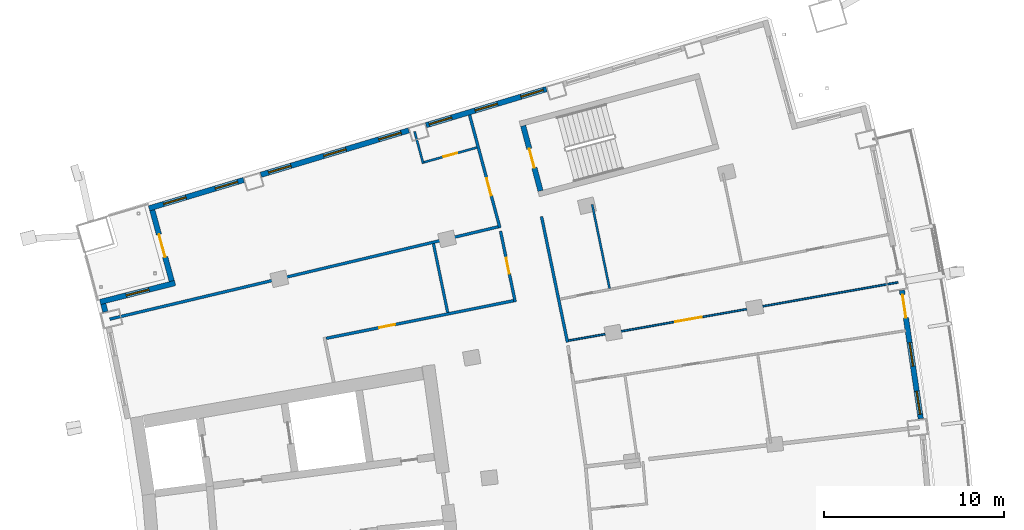
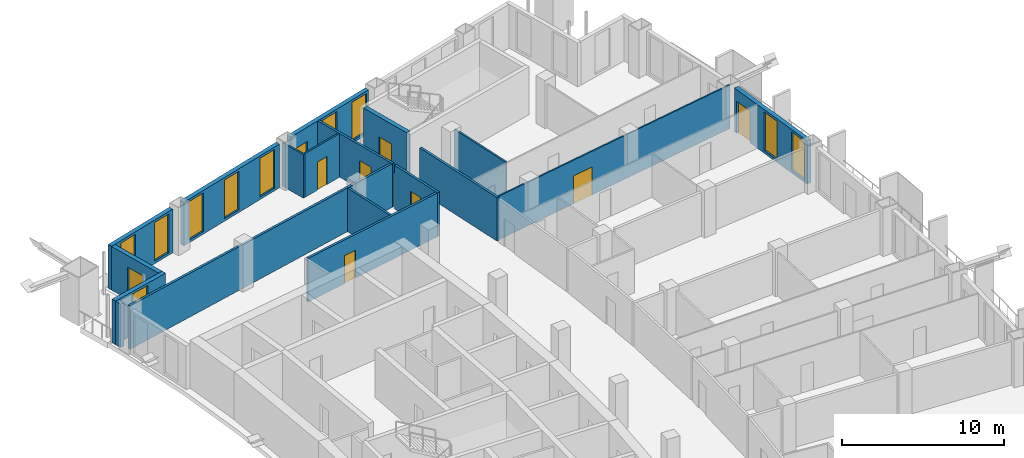
# One storey, part 16 of 22: 18 walls, 11 windows, 8 doors, 19 openings.
"""IFC4 building model written with IfcOpenShell, lengths in metres."""

import ifcopenshell
import ifcopenshell.guid

model = None  # the IFC model being written
_history = None  # IfcOwnerHistory: only IFC2X3 demands one
_inside = {}  # id of a spatial element -> (the spatial element, [elements in it])
_under = {}  # id of a project, library or spatial element -> (it, [spatial elements below it])
_declared = {}  # id of a project -> (the project, [libraries it declares])
_typed = {}  # id of a type object -> (the type object, [elements of that type])
_made_of = {}  # id of a material, layer set ... -> (it, [elements and type objects made of it])


def new_model(schema):
    """Start an empty IFC model of exactly this schema.

    Asked for "IFC4X3", IfcOpenShell would pick the latest addendum, in which some entities
    have other attributes; the version numbers below select the first issue.
    IFC2X3 requires an IfcOwnerHistory on every rooted entity: one is made here for all.
    """
    global model, _history
    if schema == "IFC4X3":
        model = ifcopenshell.file(schema_version=(4, 3, 0, 0))
    else:
        model = ifcopenshell.file(schema=schema)
    _inside.clear()
    _under.clear()
    _declared.clear()
    _typed.clear()
    _made_of.clear()
    _history = None
    if model.schema == "IFC2X3":
        org = make("IfcOrganization", Name="unknown")
        user = make(
            "IfcPersonAndOrganization",
            ThePerson=make("IfcPerson", FamilyName="unknown"),
            TheOrganization=org,
        )
        app = make(
            "IfcApplication",
            ApplicationDeveloper=org,
            Version="unknown",
            ApplicationFullName="unknown",
            ApplicationIdentifier="unknown",
        )
        _history = make(
            "IfcOwnerHistory",
            OwningUser=user,
            OwningApplication=app,
            ChangeAction="ADDED",
            CreationDate=0,
        )
    return model


def make(cls, **values):
    """One entity of the class cls with the attributes given. An attribute that is None is left unset."""
    return model.create_entity(
        cls, **{name: value for name, value in values.items() if value is not None}
    )


def rooted(cls, **values):
    """An entity with a GlobalId (a new one), such as an element, a storey or a relation."""
    return make(cls, GlobalId=ifcopenshell.guid.new(), OwnerHistory=_history, **values)


def si_unit(unit_type, name, prefix=None):
    """IfcSIUnit, for example si_unit("LENGTHUNIT", "METRE", prefix="MILLI")."""
    return make("IfcSIUnit", UnitType=unit_type, Prefix=prefix, Name=name)


def assignment(units):
    """IfcUnitAssignment: the units of a project."""
    return None if units is None else make("IfcUnitAssignment", Units=units)


def point(xyz):
    """IfcCartesianPoint."""
    return None if xyz is None else make("IfcCartesianPoint", Coordinates=xyz)


def direction(xyz):
    """IfcDirection."""
    return None if xyz is None else make("IfcDirection", DirectionRatios=xyz)


def frame(location, z_axis=None, x_axis=None):
    """IfcAxis2Placement3D, a coordinate frame: its origin and axes. An axis left out is left unset."""
    return make(
        "IfcAxis2Placement3D",
        Location=point(location),
        Axis=direction(z_axis),
        RefDirection=direction(x_axis),
    )


def frame_2d(location, x_axis=None):
    """IfcAxis2Placement2D, a coordinate frame in the plane: its origin and x axis."""
    return make(
        "IfcAxis2Placement2D", Location=point(location), RefDirection=direction(x_axis)
    )


def origin():
    """The frame at (0, 0, 0) with its axes left unset."""
    return frame((0.0, 0.0, 0.0))


def place(relative_to, where):
    """IfcLocalPlacement: puts the frame where relative to a parent placement (None: the world)."""
    return make(
        "IfcLocalPlacement", PlacementRelTo=relative_to, RelativePlacement=where
    )


def context(
    kind, dimensions, precision=None, world=None, true_north=None, identifier=None
):
    """IfcGeometricRepresentationContext, for example the 3D "Model" context."""
    return make(
        "IfcGeometricRepresentationContext",
        ContextIdentifier=identifier,
        ContextType=kind,
        CoordinateSpaceDimension=dimensions,
        Precision=precision,
        WorldCoordinateSystem=world,
        TrueNorth=true_north,
    )


def subcontext(parent, identifier, kind, view, scale=None):
    """IfcGeometricRepresentationSubContext, for example "Body" below "Model"."""
    return make(
        "IfcGeometricRepresentationSubContext",
        ContextIdentifier=identifier,
        ContextType=kind,
        ParentContext=parent,
        TargetScale=scale,
        TargetView=view,
    )


def project(units=None, contexts=None):
    """IfcProject with its units and contexts."""
    return rooted(
        "IfcProject",
        Name="project",
        RepresentationContexts=contexts,
        UnitsInContext=assignment(units),
    )


def spatial(cls, under=None, at=None, **own):
    """A site, building, storey or space (cls), placed at a placement, below another one or the project."""
    s = rooted(cls, ObjectPlacement=at, **own)
    if under is not None:
        _under.setdefault(under.id(), (under, []))[1].append(s)
    return s


def profile(cls, at=None, kind="AREA", **sizes):
    """A parametric profile (cls). Its sizes go by their IFC names, for example OverallWidth=200.0."""
    return make(cls, ProfileType=kind, Position=at, **sizes)


def rectangle(**sizes):
    """IfcRectangleProfileDef."""
    return profile("IfcRectangleProfileDef", **sizes)


def extrude(swept, where, along, depth):
    """IfcExtrudedAreaSolid: the profile swept, set in the frame where, extruded along a direction by depth."""
    return make(
        "IfcExtrudedAreaSolid",
        SweptArea=swept,
        Position=where,
        ExtrudedDirection=direction(along),
        Depth=depth,
    )


def shape(context_of_items, identifier, shape_type, items):
    """IfcShapeRepresentation: the items that make up one representation, for example the "Body"."""
    return make(
        "IfcShapeRepresentation",
        ContextOfItems=context_of_items,
        RepresentationIdentifier=identifier,
        RepresentationType=shape_type,
        Items=items,
    )


def material(Name=None, Category=None):
    """IfcMaterial."""
    return make("IfcMaterial", Name=Name, Category=Category)


def layer(
    of_material, thickness, ventilated=None, Name=None, Category=None, Priority=None
):
    """IfcMaterialLayer: one layer of a wall or slab, of a material (None: an air gap)."""
    return make(
        "IfcMaterialLayer",
        Material=of_material,
        LayerThickness=thickness,
        IsVentilated=ventilated,
        Name=Name,
        Category=Category,
        Priority=Priority,
    )


def layer_set(layers, Name=None):
    """IfcMaterialLayerSet."""
    return make("IfcMaterialLayerSet", MaterialLayers=layers, LayerSetName=Name)


def made_of(thing, what):
    """Note that an element or type object is made of a material, layer set ...; save() writes the relation."""
    if what is not None:
        _made_of.setdefault(what.id(), (what, []))[1].append(thing)
    return thing


def type_object(cls, material=None, **own):
    """A type object (cls), such as IfcWallType, which elements share."""
    return made_of(rooted(cls, **own), material)


def element(
    cls,
    number,
    at=None,
    inside=None,
    cuts=None,
    type_object=None,
    material=None,
    context=None,
    identifier="Body",
    shape_type=None,
    held_by="IfcProductDefinitionShape",
    body=None,
    shapes=None,
    **own,
):
    """One element of the class cls, such as IfcWall. Its Tag is "e" and its number.

    at: its placement. inside: the storey or other place that contains it. cuts: it is an
    opening in that element (IfcRelVoidsElement). A single representation is given by context,
    identifier, shape_type and body (its items); several are given by shapes. held_by: the class
    of the entity that holds the representations. save() writes the other relations.
    """
    e = rooted(cls, Tag="e%d" % number, ObjectPlacement=at, **own)
    if body is not None:
        shapes = [shape(context, identifier, shape_type, body)]
    if shapes is not None:
        e.Representation = make(held_by, Representations=shapes)
    if inside is not None:
        _inside.setdefault(inside.id(), (inside, []))[1].append(e)
    if cuts is not None:
        rooted(
            "IfcRelVoidsElement", RelatingBuildingElement=cuts, RelatedOpeningElement=e
        )
    if type_object is not None:
        _typed.setdefault(type_object.id(), (type_object, []))[1].append(e)
    return made_of(e, material)


def fill(opening, filler):
    """IfcRelFillsElement: the door or window that sits in an opening."""
    return rooted(
        "IfcRelFillsElement",
        RelatingOpeningElement=opening,
        RelatedBuildingElement=filler,
    )


def aggregate(whole, parts):
    """IfcRelAggregates: a whole, such as a stair, and the parts it consists of."""
    return rooted("IfcRelAggregates", RelatingObject=whole, RelatedObjects=parts)


def save(model, path):
    """Write the relations noted so far, then the file.

    IfcRelAggregates (storeys below a building ...), IfcRelContainedInSpatialStructure (elements
    in a storey), IfcRelDefinesByType, IfcRelAssociatesMaterial and IfcRelDeclares: one each for
    every whole, place, type object, material and project.
    """
    for whole, parts in _under.values():
        aggregate(whole, parts)
    for where, things in _inside.values():
        rooted(
            "IfcRelContainedInSpatialStructure",
            RelatedElements=things,
            RelatingStructure=where,
        )
    for kind, things in _typed.values():
        rooted("IfcRelDefinesByType", RelatedObjects=things, RelatingType=kind)
    for what, things in _made_of.values():
        rooted("IfcRelAssociatesMaterial", RelatedObjects=things, RelatingMaterial=what)
    for by, libraries in _declared.values():
        rooted("IfcRelDeclares", RelatingContext=by, RelatedDefinitions=libraries)
    model.write(path)


model = new_model("IFC4")

# Units and contexts
model_context = context("Model", 3, precision=1e-05, world=origin(), true_north=direction((0.0, 1.0)))
body_context = subcontext(model_context, "Body", "Model", "MODEL_VIEW")
ifc_project = project(units=[si_unit("LENGTHUNIT", "METRE"), si_unit("AREAUNIT", "SQUARE_METRE"), si_unit("VOLUMEUNIT", "CUBIC_METRE"), si_unit("PLANEANGLEUNIT", "RADIAN"), si_unit("MASSUNIT", "GRAM", prefix="KILO")], contexts=[model_context])

# Site, building, storey
site_placement = place(None, origin())
site = spatial("IfcSite", under=ifc_project, at=site_placement, CompositionType="ELEMENT")
building_placement = place(site_placement, origin())
building = spatial("IfcBuilding", under=site, at=building_placement, Name="Alderwake Tower", CompositionType="ELEMENT")
storey_placement = place(building_placement, frame((0.0, 0.0, 156.800048828125)))
storey = spatial("IfcBuildingStorey", under=building, at=storey_placement, Name="L38", CompositionType="ELEMENT", Elevation=156.800048828125)

# Wall, opening, door
ifc_material_1 = material(Name="Concrete C70/85", Category="concrete")
ifc_layer_1 = layer(ifc_material_1, 0.300048828125)
ifc_layer_set_1 = layer_set([ifc_layer_1], Name="Core wall stair enclosure 300 C70-85")
wall_type_1 = type_object("IfcWallType", Name="Core wall stair enclosure 300 C70-85", PredefinedType="SHEAR", material=ifc_layer_set_1)
wall_1_placement = place(storey_placement, frame((37.8603515625, 90.452392578125, 0.0), z_axis=(0.0, 0.0, 1.0), x_axis=(-0.257411420208, 0.966301899381, 0.0)))
wall_1 = element("IfcWall", 1, at=wall_1_placement, inside=storey, type_object=wall_type_1, Name="Core wall CW.083", PredefinedType="SHEAR", context=body_context, shape_type="SweptSolid", body=[
    extrude(rectangle(XDim=3.750244140625, YDim=0.300048828125, at=frame_2d((1.875, 0.0))), origin(), (0.0, 0.0, 1.0), 3.599853515625),
])
opening_1_placement = place(wall_1_placement, frame((1.324951171875, 0.0, 0.0)))
opening_1 = element("IfcOpeningElement", 2, at=opening_1_placement, cuts=wall_1, Name="Opening C062", PredefinedType="OPENING", context=body_context, shape_type="SweptSolid", body=[
    extrude(rectangle(XDim=1.10009765625, YDim=2.10009765625, at=frame_2d((0.550048828125, 1.050048828125))), frame((0.0, 0.159912109375, 0.0), z_axis=(0.0, -1.0, 0.0), x_axis=(1.0, 0.0, 0.0)), (0.0, 0.0, 1.0), 0.320068359375),
])
ifc_material_2 = material(Name="Steel-framed fire door leaf", Category="steel")
door_type_1 = type_object("IfcDoorType", Name="Core stair door 1100 fire-rated", OperationType="SINGLE_SWING_LEFT", PredefinedType="DOOR", material=ifc_material_2)
door_1_placement = place(opening_1_placement, origin())
door_1 = element("IfcDoor", 3, at=door_1_placement, inside=storey, type_object=door_type_1, Name="Stair door", OperationType="SINGLE_SWING_RIGHT", OverallHeight=2.10009765625, OverallWidth=1.10009765625, PredefinedType="DOOR", context=body_context, shape_type="SweptSolid", body=[
    extrude(rectangle(XDim=1.10009765625, YDim=2.10009765625, at=frame_2d((0.550048828125, 1.050048828125))), frame((0.0, 0.02490234375, 0.0), z_axis=(0.0, -1.0, 0.0), x_axis=(1.0, 0.0, 0.0)), (0.0, 0.0, 1.0), 0.050048828125),
])
fill(opening_1, door_1)

ifc_material_3 = material(Name="Gypsum board on metal studs, rated")
ifc_layer_2 = layer(ifc_material_3, 0.159912109375)
ifc_layer_set_2 = layer_set([ifc_layer_2], Name="Corridor wall 160")
wall_type_2 = type_object("IfcWallType", Name="Corridor wall 160", PredefinedType="PARTITIONING", material=ifc_layer_set_2)
wall_2_placement = place(storey_placement, frame((35.600830078125, 88.392578125, 0.0), z_axis=(0.0, 0.0, 1.0), x_axis=(-0.259509260101, 0.965740619381, 0.0)))
wall_2 = element("IfcWall", 4, at=wall_2_placement, inside=storey, type_object=wall_type_2, Name="WL/L38/W15", PredefinedType="PARTITIONING", context=body_context, shape_type="SweptSolid", body=[
    extrude(rectangle(XDim=6.50732421875, YDim=0.159912109375, at=frame_2d((3.253662109375, 0.0))), origin(), (0.0, 0.0, 1.0), 3.280029296875),
])
opening_2_placement = place(wall_2_placement, frame((1.865478515625, 0.0, 0.0)))
opening_2 = element("IfcOpeningElement", 5, at=opening_2_placement, cuts=wall_2, Name="Opening R10-U09.1", PredefinedType="OPENING", context=body_context, shape_type="SweptSolid", body=[
    extrude(rectangle(XDim=1.0, YDim=2.10009765625, at=frame_2d((0.5, 1.050048828125))), frame((0.0, 0.08984375, 0.0), z_axis=(0.0, -1.0, 0.0), x_axis=(1.0, 0.0, 0.0)), (0.0, 0.0, 1.0), 0.179931640625),
])
ifc_material_4 = material(Name="Solid timber leaf in steel frame", Category="steel")
door_type_2 = type_object("IfcDoorType", Name="Flat entrance door 1000 fire-rated", OperationType="SINGLE_SWING_LEFT", PredefinedType="DOOR", material=ifc_material_4)
door_2_placement = place(opening_2_placement, origin())
door_2 = element("IfcDoor", 6, at=door_2_placement, inside=storey, type_object=door_type_2, Name="DR/L38/U09.1", OperationType="SINGLE_SWING_LEFT", OverallHeight=2.10009765625, OverallWidth=1.0, PredefinedType="DOOR", context=body_context, shape_type="SweptSolid", body=[
    extrude(rectangle(XDim=1.0, YDim=2.10009765625, at=frame_2d((0.5, 1.050048828125))), frame((0.0, 0.02490234375, 0.0), z_axis=(0.0, -1.0, 0.0), x_axis=(1.0, 0.0, 0.0)), (0.0, 0.0, 1.0), 0.050048828125),
])
fill(opening_2, door_2)

# Wall
wall_3_placement = place(storey_placement, frame((35.502197265625, 88.451416015625, 0.0), z_axis=(0.0, 0.0, 1.0), x_axis=(-0.972894913244, -0.231247676278, 0.0)))
element("IfcWall", 7, at=wall_3_placement, inside=storey, type_object=wall_type_2, Name="WL/L38/W17", PredefinedType="PARTITIONING", context=body_context, shape_type="SweptSolid", body=[
    extrude(rectangle(XDim=22.220458984375, YDim=0.159912109375, at=frame_2d((11.1103515625, 0.0))), origin(), (0.0, 0.0, 1.0), 3.280029296875),
])

# Wall, opening, door
wall_4_placement = place(storey_placement, frame((36.451416015625, 84.272705078125, 0.0), z_axis=(0.0, 0.0, 1.0), x_axis=(-0.203258199701, 0.979125172924, 0.0)))
wall_4 = element("IfcWall", 8, at=wall_4_placement, inside=storey, type_object=wall_type_2, Name="WL/L38/W18", PredefinedType="PARTITIONING", context=body_context, shape_type="SweptSolid", body=[
    extrude(rectangle(XDim=4.020263671875, YDim=0.159912109375, at=frame_2d((2.01025390625, 0.0))), origin(), (0.0, 0.0, 1.0), 3.280029296875),
])
opening_3_placement = place(wall_4_placement, frame((1.599609375, 0.0, 0.0)))
opening_3 = element("IfcOpeningElement", 9, at=opening_3_placement, cuts=wall_4, Name="Opening R10-SBN2", PredefinedType="OPENING", context=body_context, shape_type="SweptSolid", body=[
    extrude(rectangle(XDim=0.89990234375, YDim=2.10009765625, at=frame_2d((0.449951171875, 1.050048828125))), frame((0.0, 0.08984375, 0.0), z_axis=(0.0, -1.0, 0.0), x_axis=(1.0, 0.0, 0.0)), (0.0, 0.0, 1.0), 0.179931640625),
])
ifc_material_5 = material(Name="Painted timber leaf", Category="wood")
door_type_3 = type_object("IfcDoorType", Name="Room door 900", OperationType="SINGLE_SWING_LEFT", PredefinedType="DOOR", material=ifc_material_5)
door_3_placement = place(opening_3_placement, origin())
door_3 = element("IfcDoor", 10, at=door_3_placement, inside=storey, type_object=door_type_3, Name="DR/L38/SBN2", OperationType="SINGLE_SWING_LEFT", OverallHeight=2.10009765625, OverallWidth=0.89990234375, PredefinedType="DOOR", context=body_context, shape_type="SweptSolid", body=[
    extrude(rectangle(XDim=0.89990234375, YDim=2.10009765625, at=frame_2d((0.449951171875, 1.050048828125))), frame((0.0, 0.02490234375, 0.0), z_axis=(0.0, -1.0, 0.0), x_axis=(1.0, 0.0, 0.0)), (0.0, 0.0, 1.0), 0.050048828125),
])
fill(opening_3, door_3)

wall_5_placement = place(storey_placement, frame((25.926513671875, 82.24267578125, 0.0), z_axis=(0.0, 0.0, 1.0), x_axis=(0.98046310274, 0.196703086316, 0.0)))
wall_5 = element("IfcWall", 11, at=wall_5_placement, inside=storey, type_object=wall_type_2, Name="WL/L38/W20", PredefinedType="PARTITIONING", context=body_context, shape_type="SweptSolid", body=[
    extrude(rectangle(XDim=10.637939453125, YDim=0.159912109375, at=frame_2d((5.31884765625, 0.0))), origin(), (0.0, 0.0, 1.0), 3.280029296875),
])
opening_4_placement = place(wall_5_placement, frame((3.009033203125, 0.0, 0.0)))
opening_4 = element("IfcOpeningElement", 12, at=opening_4_placement, cuts=wall_5, Name="Opening R10-SBN1", PredefinedType="OPENING", context=body_context, shape_type="SweptSolid", body=[
    extrude(rectangle(XDim=0.89990234375, YDim=2.10009765625, at=frame_2d((0.449951171875, 1.050048828125))), frame((0.0, 0.08984375, 0.0), z_axis=(0.0, -1.0, 0.0), x_axis=(1.0, 0.0, 0.0)), (0.0, 0.0, 1.0), 0.179931640625),
])
door_4_placement = place(opening_4_placement, origin())
door_4 = element("IfcDoor", 13, at=door_4_placement, inside=storey, type_object=door_type_3, Name="DR/L38/SBN1", OperationType="SINGLE_SWING_LEFT", OverallHeight=2.10009765625, OverallWidth=0.89990234375, PredefinedType="DOOR", context=body_context, shape_type="SweptSolid", body=[
    extrude(rectangle(XDim=0.89990234375, YDim=2.10009765625, at=frame_2d((0.449951171875, 1.050048828125))), frame((0.0, 0.02490234375, 0.0), z_axis=(0.0, -1.0, 0.0), x_axis=(1.0, 0.0, 0.0)), (0.0, 0.0, 1.0), 0.050048828125),
])
fill(opening_4, door_4)

# Wall
wall_6_placement = place(storey_placement, frame((39.3642578125, 82.022705078125, 0.0), z_axis=(0.0, 0.0, 1.0), x_axis=(-0.202409142021, 0.979301046271, 0.0)))
element("IfcWall", 14, at=wall_6_placement, inside=storey, type_object=wall_type_2, Name="WL/L38/W23", PredefinedType="PARTITIONING", context=body_context, shape_type="SweptSolid", body=[
    extrude(rectangle(XDim=7.150146484375, YDim=0.159912109375, at=frame_2d((3.5751953125, 0.0))), origin(), (0.0, 0.0, 1.0), 3.280029296875),
])

# Wall, openings, door, windows
ifc_material_6 = material(Name="Precast concrete C50/60 spandrel panel", Category="concrete")
ifc_layer_3 = layer(ifc_material_6, 0.300048828125)
ifc_layer_set_3 = layer_set([ifc_layer_3], Name="External wall EW1 Precast concrete C50/60 spandrel")
wall_type_3 = type_object("IfcWallType", Name="External wall EW1 Precast concrete C50/60 spandrel", PredefinedType="SOLIDWALL", material=ifc_layer_set_3)
wall_7_placement = place(storey_placement, frame((59.029296875, 77.770263671875, 0.0), z_axis=(0.0, 0.0, 1.0), x_axis=(-0.145324652045, 0.989384023273, 0.0)))
wall_7 = element("IfcWall", 15, at=wall_7_placement, inside=storey, type_object=wall_type_3, Name="External wall 18", PredefinedType="SOLIDWALL", context=body_context, shape_type="SweptSolid", body=[
    extrude(rectangle(XDim=7.22216796875, YDim=0.300048828125, at=frame_2d((3.611083984375, 0.0))), origin(), (0.0, 0.0, 1.0), 3.280029296875),
])
opening_5_placement = place(wall_7_placement, frame((0.2431640625, 0.0, 0.199951171875)))
opening_5 = element("IfcOpeningElement", 16, at=opening_5_placement, cuts=wall_7, Name="Opening W1", PredefinedType="OPENING", context=body_context, shape_type="SweptSolid", body=[
    extrude(rectangle(XDim=1.300048828125, YDim=2.89990234375, at=frame_2d((0.64990234375, 1.449951171875))), frame((0.0, 0.159912109375, 0.0), z_axis=(0.0, -1.0, 0.0), x_axis=(1.0, 0.0, 0.0)), (0.0, 0.0, 1.0), 0.320068359375),
])
opening_6_placement = place(wall_7_placement, frame((2.961181640625, 0.0, 0.199951171875)))
opening_6 = element("IfcOpeningElement", 17, at=opening_6_placement, cuts=wall_7, Name="Opening W1", PredefinedType="OPENING", context=body_context, shape_type="SweptSolid", body=[
    extrude(rectangle(XDim=1.300048828125, YDim=2.89990234375, at=frame_2d((0.64990234375, 1.449951171875))), frame((0.0, 0.159912109375, 0.0), z_axis=(0.0, -1.0, 0.0), x_axis=(1.0, 0.0, 0.0)), (0.0, 0.0, 1.0), 0.320068359375),
])
opening_7_placement = place(wall_7_placement, frame((5.678955078125, 0.0, 0.0)))
opening_7 = element("IfcOpeningElement", 18, at=opening_7_placement, cuts=wall_7, Name="Opening D07", PredefinedType="OPENING", context=body_context, shape_type="SweptSolid", body=[
    extrude(rectangle(XDim=1.300048828125, YDim=2.39990234375, at=frame_2d((0.64990234375, 1.199951171875))), frame((0.0, 0.159912109375, 0.0), z_axis=(0.0, -1.0, 0.0), x_axis=(1.0, 0.0, 0.0)), (0.0, 0.0, 1.0), 0.320068359375),
])
ifc_material_7 = material(Name="Bronze tinted glass in aluminium frame", Category="aluminium")
door_type_4 = type_object("IfcDoorType", Name="Balcony door BD sliding", OperationType="SLIDING_TO_LEFT", PredefinedType="DOOR", material=ifc_material_7)
door_5_placement = place(opening_7_placement, origin())
door_5 = element("IfcDoor", 19, at=door_5_placement, inside=storey, type_object=door_type_4, Name="Door D07", OperationType="SLIDING_TO_LEFT", OverallHeight=2.39990234375, OverallWidth=1.300048828125, PredefinedType="DOOR", context=body_context, shape_type="SweptSolid", body=[
    extrude(rectangle(XDim=1.300048828125, YDim=2.39990234375, at=frame_2d((0.64990234375, 1.199951171875))), frame((0.0, 0.02490234375, 0.0), z_axis=(0.0, -1.0, 0.0), x_axis=(1.0, 0.0, 0.0)), (0.0, 0.0, 1.0), 0.050048828125),
])
fill(opening_7, door_5)
ifc_material_8 = material(Name="Bronze tinted glass in aluminium frame", Category="aluminium")
window_type_1 = type_object("IfcWindowType", Name="Window W1 tall fixed and vent", PartitioningType="DOUBLE_PANEL_VERTICAL", PredefinedType="WINDOW", material=ifc_material_8)
window_1_placement = place(opening_5_placement, origin())
window_1 = element("IfcWindow", 20, at=window_1_placement, inside=storey, type_object=window_type_1, Name="Window W1 tall fixed and vent", OverallHeight=2.89990234375, OverallWidth=1.300048828125, PartitioningType="DOUBLE_PANEL_VERTICAL", PredefinedType="WINDOW", context=body_context, shape_type="SweptSolid", body=[
    extrude(rectangle(XDim=1.300048828125, YDim=2.89990234375, at=frame_2d((0.64990234375, 1.449951171875))), frame((0.0, 0.030029296875, 0.0), z_axis=(0.0, -1.0, 0.0), x_axis=(1.0, 0.0, 0.0)), (0.0, 0.0, 1.0), 0.06005859375),
])
fill(opening_5, window_1)
window_2_placement = place(opening_6_placement, origin())
window_2 = element("IfcWindow", 21, at=window_2_placement, inside=storey, type_object=window_type_1, Name="Window W1 tall fixed and vent", OverallHeight=2.89990234375, OverallWidth=1.300048828125, PartitioningType="DOUBLE_PANEL_VERTICAL", PredefinedType="WINDOW", context=body_context, shape_type="SweptSolid", body=[
    extrude(rectangle(XDim=1.300048828125, YDim=2.89990234375, at=frame_2d((0.64990234375, 1.449951171875))), frame((0.0, 0.030029296875, 0.0), z_axis=(0.0, -1.0, 0.0), x_axis=(1.0, 0.0, 0.0)), (0.0, 0.0, 1.0), 0.06005859375),
])
fill(opening_6, window_2)

# Wall
wall_8_placement = place(storey_placement, frame((13.523193359375, 84.1572265625, 0.0), z_axis=(0.0, 0.0, 1.0), x_axis=(0.238729806706, -0.97108603089, 0.0)))
element("IfcWall", 22, at=wall_8_placement, inside=storey, type_object=wall_type_3, Name="External wall 30", PredefinedType="SOLIDWALL", context=body_context, shape_type="SweptSolid", body=[
    extrude(rectangle(XDim=0.453125, YDim=0.300048828125, at=frame_2d((0.2265625, 0.0))), origin(), (0.0, 0.0, 1.0), 3.280029296875),
])

# Wall, openings, windows
ifc_material_9 = material(Name="Bronze metal cladding on lightweight framing")
ifc_layer_4 = layer(ifc_material_9, 0.300048828125)
ifc_layer_set_4 = layer_set([ifc_layer_4], Name="External wall EW2 bronze metal cladding")
wall_type_4 = type_object("IfcWallType", Name="External wall EW2 bronze metal cladding", PredefinedType="SOLIDWALL", material=ifc_layer_set_4)
wall_9_placement = place(storey_placement, frame((38.18994140625, 96.11865234375, 0.0), z_axis=(0.0, 0.0, 1.0), x_axis=(-0.957757105671, -0.287578383292, 0.0)))
wall_9 = element("IfcWall", 23, at=wall_9_placement, inside=storey, type_object=wall_type_4, Name="External wall 25", PredefinedType="SOLIDWALL", context=body_context, shape_type="SweptSolid", body=[
    extrude(rectangle(XDim=6.996337890625, YDim=0.300048828125, at=frame_2d((3.498046875, 0.0))), origin(), (0.0, 0.0, 1.0), 3.280029296875),
])
opening_8_placement = place(wall_9_placement, frame((0.181396484375, 0.0, 0.199951171875)))
opening_8 = element("IfcOpeningElement", 24, at=opening_8_placement, cuts=wall_9, Name="Opening W1", PredefinedType="OPENING", context=body_context, shape_type="SweptSolid", body=[
    extrude(rectangle(XDim=1.300048828125, YDim=2.89990234375, at=frame_2d((0.64990234375, 1.449951171875))), frame((0.0, 0.159912109375, 0.0), z_axis=(0.0, -1.0, 0.0), x_axis=(1.0, 0.0, 0.0)), (0.0, 0.0, 1.0), 0.320068359375),
])
opening_9_placement = place(wall_9_placement, frame((2.84814453125, 0.0, 0.199951171875)))
opening_9 = element("IfcOpeningElement", 25, at=opening_9_placement, cuts=wall_9, Name="Opening W1", PredefinedType="OPENING", context=body_context, shape_type="SweptSolid", body=[
    extrude(rectangle(XDim=1.300048828125, YDim=2.89990234375, at=frame_2d((0.64990234375, 1.449951171875))), frame((0.0, 0.159912109375, 0.0), z_axis=(0.0, -1.0, 0.0), x_axis=(1.0, 0.0, 0.0)), (0.0, 0.0, 1.0), 0.320068359375),
])
opening_10_placement = place(wall_9_placement, frame((5.514892578125, 0.0, 1.0)))
opening_10 = element("IfcOpeningElement", 26, at=opening_10_placement, cuts=wall_9, Name="Opening W2", PredefinedType="OPENING", context=body_context, shape_type="SweptSolid", body=[
    extrude(rectangle(XDim=1.300048828125, YDim=1.199951171875, at=frame_2d((0.64990234375, 0.60009765625))), frame((0.0, 0.159912109375, 0.0), z_axis=(0.0, -1.0, 0.0), x_axis=(1.0, 0.0, 0.0)), (0.0, 0.0, 1.0), 0.320068359375),
])
window_3_placement = place(opening_8_placement, origin())
window_3 = element("IfcWindow", 27, at=window_3_placement, inside=storey, type_object=window_type_1, Name="Window W1 tall fixed and vent", OverallHeight=2.89990234375, OverallWidth=1.300048828125, PartitioningType="DOUBLE_PANEL_VERTICAL", PredefinedType="WINDOW", context=body_context, shape_type="SweptSolid", body=[
    extrude(rectangle(XDim=1.300048828125, YDim=2.89990234375, at=frame_2d((0.64990234375, 1.449951171875))), frame((0.0, 0.030029296875, 0.0), z_axis=(0.0, -1.0, 0.0), x_axis=(1.0, 0.0, 0.0)), (0.0, 0.0, 1.0), 0.06005859375),
])
fill(opening_8, window_3)
window_4_placement = place(opening_9_placement, origin())
window_4 = element("IfcWindow", 28, at=window_4_placement, inside=storey, type_object=window_type_1, Name="Window W1 tall fixed and vent", OverallHeight=2.89990234375, OverallWidth=1.300048828125, PartitioningType="DOUBLE_PANEL_VERTICAL", PredefinedType="WINDOW", context=body_context, shape_type="SweptSolid", body=[
    extrude(rectangle(XDim=1.300048828125, YDim=2.89990234375, at=frame_2d((0.64990234375, 1.449951171875))), frame((0.0, 0.030029296875, 0.0), z_axis=(0.0, -1.0, 0.0), x_axis=(1.0, 0.0, 0.0)), (0.0, 0.0, 1.0), 0.06005859375),
])
fill(opening_9, window_4)
ifc_material_10 = material(Name="Bronze tinted glass in aluminium frame", Category="aluminium")
window_type_2 = type_object("IfcWindowType", Name="Window W2 kitchen and bath", PartitioningType="SINGLE_PANEL", PredefinedType="WINDOW", material=ifc_material_10)
window_5_placement = place(opening_10_placement, origin())
window_5 = element("IfcWindow", 29, at=window_5_placement, inside=storey, type_object=window_type_2, Name="Window W2 kitchen and bath", OverallHeight=1.199951171875, OverallWidth=1.300048828125, PartitioningType="SINGLE_PANEL", PredefinedType="WINDOW", context=body_context, shape_type="SweptSolid", body=[
    extrude(rectangle(XDim=1.300048828125, YDim=1.199951171875, at=frame_2d((0.64990234375, 0.60009765625))), frame((0.0, 0.030029296875, 0.0), z_axis=(0.0, -1.0, 0.0), x_axis=(1.0, 0.0, 0.0)), (0.0, 0.0, 1.0), 0.06005859375),
])
fill(opening_10, window_5)

wall_10_placement = place(storey_placement, frame((30.527587890625, 93.818115234375, 0.0), z_axis=(0.0, 0.0, 1.0), x_axis=(-0.957768419769, -0.287540699891, 0.0)))
wall_10 = element("IfcWall", 30, at=wall_10_placement, inside=storey, type_object=wall_type_4, Name="External wall 26", PredefinedType="SOLIDWALL", context=body_context, shape_type="SweptSolid", body=[
    extrude(rectangle(XDim=8.595947265625, YDim=0.300048828125, at=frame_2d((4.2978515625, 0.0))), origin(), (0.0, 0.0, 1.0), 3.280029296875),
])
opening_11_placement = place(wall_10_placement, frame((0.447998046875, 0.0, 0.199951171875)))
opening_11 = element("IfcOpeningElement", 31, at=opening_11_placement, cuts=wall_10, Name="Opening W1", PredefinedType="OPENING", context=body_context, shape_type="SweptSolid", body=[
    extrude(rectangle(XDim=1.300048828125, YDim=2.89990234375, at=frame_2d((0.64990234375, 1.449951171875))), frame((0.0, 0.159912109375, 0.0), z_axis=(0.0, -1.0, 0.0), x_axis=(1.0, 0.0, 0.0)), (0.0, 0.0, 1.0), 0.320068359375),
])
opening_12_placement = place(wall_10_placement, frame((3.64794921875, 0.0, 0.199951171875)))
opening_12 = element("IfcOpeningElement", 32, at=opening_12_placement, cuts=wall_10, Name="Opening W1", PredefinedType="OPENING", context=body_context, shape_type="SweptSolid", body=[
    extrude(rectangle(XDim=1.300048828125, YDim=2.89990234375, at=frame_2d((0.64990234375, 1.449951171875))), frame((0.0, 0.159912109375, 0.0), z_axis=(0.0, -1.0, 0.0), x_axis=(1.0, 0.0, 0.0)), (0.0, 0.0, 1.0), 0.320068359375),
])
opening_13_placement = place(wall_10_placement, frame((6.84814453125, 0.0, 0.199951171875)))
opening_13 = element("IfcOpeningElement", 33, at=opening_13_placement, cuts=wall_10, Name="Opening W1", PredefinedType="OPENING", context=body_context, shape_type="SweptSolid", body=[
    extrude(rectangle(XDim=1.300048828125, YDim=2.89990234375, at=frame_2d((0.64990234375, 1.449951171875))), frame((0.0, 0.159912109375, 0.0), z_axis=(0.0, -1.0, 0.0), x_axis=(1.0, 0.0, 0.0)), (0.0, 0.0, 1.0), 0.320068359375),
])
window_6_placement = place(opening_11_placement, origin())
window_6 = element("IfcWindow", 34, at=window_6_placement, inside=storey, type_object=window_type_1, Name="Window W1 tall fixed and vent", OverallHeight=2.89990234375, OverallWidth=1.300048828125, PartitioningType="DOUBLE_PANEL_VERTICAL", PredefinedType="WINDOW", context=body_context, shape_type="SweptSolid", body=[
    extrude(rectangle(XDim=1.300048828125, YDim=2.89990234375, at=frame_2d((0.64990234375, 1.449951171875))), frame((0.0, 0.030029296875, 0.0), z_axis=(0.0, -1.0, 0.0), x_axis=(1.0, 0.0, 0.0)), (0.0, 0.0, 1.0), 0.06005859375),
])
fill(opening_11, window_6)
window_7_placement = place(opening_12_placement, origin())
window_7 = element("IfcWindow", 35, at=window_7_placement, inside=storey, type_object=window_type_1, Name="Window W1 tall fixed and vent", OverallHeight=2.89990234375, OverallWidth=1.300048828125, PartitioningType="DOUBLE_PANEL_VERTICAL", PredefinedType="WINDOW", context=body_context, shape_type="SweptSolid", body=[
    extrude(rectangle(XDim=1.300048828125, YDim=2.89990234375, at=frame_2d((0.64990234375, 1.449951171875))), frame((0.0, 0.030029296875, 0.0), z_axis=(0.0, -1.0, 0.0), x_axis=(1.0, 0.0, 0.0)), (0.0, 0.0, 1.0), 0.06005859375),
])
fill(opening_12, window_7)
window_8_placement = place(opening_13_placement, origin())
window_8 = element("IfcWindow", 36, at=window_8_placement, inside=storey, type_object=window_type_1, Name="Window W1 tall fixed and vent", OverallHeight=2.89990234375, OverallWidth=1.300048828125, PartitioningType="DOUBLE_PANEL_VERTICAL", PredefinedType="WINDOW", context=body_context, shape_type="SweptSolid", body=[
    extrude(rectangle(XDim=1.300048828125, YDim=2.89990234375, at=frame_2d((0.64990234375, 1.449951171875))), frame((0.0, 0.030029296875, 0.0), z_axis=(0.0, -1.0, 0.0), x_axis=(1.0, 0.0, 0.0)), (0.0, 0.0, 1.0), 0.06005859375),
])
fill(opening_13, window_8)

wall_11_placement = place(storey_placement, frame((21.332763671875, 91.0576171875, 0.0), z_axis=(0.0, 0.0, 1.0), x_axis=(-0.957767615614, -0.287543378434, 0.0)))
wall_11 = element("IfcWall", 37, at=wall_11_placement, inside=storey, type_object=wall_type_4, Name="External wall 27", PredefinedType="SOLIDWALL", context=body_context, shape_type="SweptSolid", body=[
    extrude(rectangle(XDim=5.499267578125, YDim=0.300048828125, at=frame_2d((2.74951171875, 0.0))), origin(), (0.0, 0.0, 1.0), 3.280029296875),
])
opening_14_placement = place(wall_11_placement, frame((0.34814453125, 0.0, 0.199951171875)))
opening_14 = element("IfcOpeningElement", 38, at=opening_14_placement, cuts=wall_11, Name="Opening W1", PredefinedType="OPENING", context=body_context, shape_type="SweptSolid", body=[
    extrude(rectangle(XDim=1.300048828125, YDim=2.89990234375, at=frame_2d((0.64990234375, 1.449951171875))), frame((0.0, 0.159912109375, 0.0), z_axis=(0.0, -1.0, 0.0), x_axis=(1.0, 0.0, 0.0)), (0.0, 0.0, 1.0), 0.320068359375),
])
opening_15_placement = place(wall_11_placement, frame((3.34912109375, 0.0, 0.199951171875)))
opening_15 = element("IfcOpeningElement", 39, at=opening_15_placement, cuts=wall_11, Name="Opening W1", PredefinedType="OPENING", context=body_context, shape_type="SweptSolid", body=[
    extrude(rectangle(XDim=1.300048828125, YDim=2.89990234375, at=frame_2d((0.64990234375, 1.449951171875))), frame((0.0, 0.159912109375, 0.0), z_axis=(0.0, -1.0, 0.0), x_axis=(1.0, 0.0, 0.0)), (0.0, 0.0, 1.0), 0.320068359375),
])
window_9_placement = place(opening_14_placement, origin())
window_9 = element("IfcWindow", 40, at=window_9_placement, inside=storey, type_object=window_type_1, Name="Window W1 tall fixed and vent", OverallHeight=2.89990234375, OverallWidth=1.300048828125, PartitioningType="DOUBLE_PANEL_VERTICAL", PredefinedType="WINDOW", context=body_context, shape_type="SweptSolid", body=[
    extrude(rectangle(XDim=1.300048828125, YDim=2.89990234375, at=frame_2d((0.64990234375, 1.449951171875))), frame((0.0, 0.030029296875, 0.0), z_axis=(0.0, -1.0, 0.0), x_axis=(1.0, 0.0, 0.0)), (0.0, 0.0, 1.0), 0.06005859375),
])
fill(opening_14, window_9)
window_10_placement = place(opening_15_placement, origin())
window_10 = element("IfcWindow", 41, at=window_10_placement, inside=storey, type_object=window_type_1, Name="Window W1 tall fixed and vent", OverallHeight=2.89990234375, OverallWidth=1.300048828125, PartitioningType="DOUBLE_PANEL_VERTICAL", PredefinedType="WINDOW", context=body_context, shape_type="SweptSolid", body=[
    extrude(rectangle(XDim=1.300048828125, YDim=2.89990234375, at=frame_2d((0.64990234375, 1.449951171875))), frame((0.0, 0.030029296875, 0.0), z_axis=(0.0, -1.0, 0.0), x_axis=(1.0, 0.0, 0.0)), (0.0, 0.0, 1.0), 0.06005859375),
])
fill(opening_15, window_10)

# Wall, opening, door
wall_12_placement = place(storey_placement, frame((16.248779296875, 89.374755859375, 0.0), z_axis=(0.0, 0.0, 1.0), x_axis=(0.264607053468, -0.964356317579, 0.0)))
wall_12 = element("IfcWall", 42, at=wall_12_placement, inside=storey, type_object=wall_type_4, Name="External wall 28", PredefinedType="SOLIDWALL", context=body_context, shape_type="SweptSolid", body=[
    extrude(rectangle(XDim=4.090087890625, YDim=0.300048828125, at=frame_2d((2.044921875, 0.0))), origin(), (0.0, 0.0, 1.0), 3.280029296875),
])
opening_16_placement = place(wall_12_placement, frame((1.39501953125, 0.0, 0.0)))
opening_16 = element("IfcOpeningElement", 43, at=opening_16_placement, cuts=wall_12, Name="Opening D09", PredefinedType="OPENING", context=body_context, shape_type="SweptSolid", body=[
    extrude(rectangle(XDim=1.300048828125, YDim=2.39990234375, at=frame_2d((0.64990234375, 1.199951171875))), frame((0.0, 0.159912109375, 0.0), z_axis=(0.0, -1.0, 0.0), x_axis=(1.0, 0.0, 0.0)), (0.0, 0.0, 1.0), 0.320068359375),
])
door_6_placement = place(opening_16_placement, origin())
door_6 = element("IfcDoor", 44, at=door_6_placement, inside=storey, type_object=door_type_4, Name="Door D09", OperationType="SLIDING_TO_LEFT", OverallHeight=2.39990234375, OverallWidth=1.300048828125, PredefinedType="DOOR", context=body_context, shape_type="SweptSolid", body=[
    extrude(rectangle(XDim=1.300048828125, YDim=2.39990234375, at=frame_2d((0.64990234375, 1.199951171875))), frame((0.0, 0.02490234375, 0.0), z_axis=(0.0, -1.0, 0.0), x_axis=(1.0, 0.0, 0.0)), (0.0, 0.0, 1.0), 0.050048828125),
])
fill(opening_16, door_6)

# Wall, opening, window
wall_13_placement = place(storey_placement, frame((17.51611328125, 85.32275390625, 0.0), z_axis=(0.0, 0.0, 1.0), x_axis=(-0.969417740682, -0.245416470617, 0.0)))
wall_13 = element("IfcWall", 45, at=wall_13_placement, inside=storey, type_object=wall_type_4, Name="External wall 29", PredefinedType="SOLIDWALL", context=body_context, shape_type="SweptSolid", body=[
    extrude(rectangle(XDim=4.305419921875, YDim=0.300048828125, at=frame_2d((2.15283203125, 0.0))), origin(), (0.0, 0.0, 1.0), 3.280029296875),
])
opening_17_placement = place(wall_13_placement, frame((1.502685546875, 0.0, 0.199951171875)))
opening_17 = element("IfcOpeningElement", 46, at=opening_17_placement, cuts=wall_13, Name="Opening W1", PredefinedType="OPENING", context=body_context, shape_type="SweptSolid", body=[
    extrude(rectangle(XDim=1.300048828125, YDim=2.89990234375, at=frame_2d((0.64990234375, 1.449951171875))), frame((0.0, 0.159912109375, 0.0), z_axis=(0.0, -1.0, 0.0), x_axis=(1.0, 0.0, 0.0)), (0.0, 0.0, 1.0), 0.320068359375),
])
window_11_placement = place(opening_17_placement, origin())
window_11 = element("IfcWindow", 47, at=window_11_placement, inside=storey, type_object=window_type_1, Name="Window W1 tall fixed and vent", OverallHeight=2.89990234375, OverallWidth=1.300048828125, PartitioningType="DOUBLE_PANEL_VERTICAL", PredefinedType="WINDOW", context=body_context, shape_type="SweptSolid", body=[
    extrude(rectangle(XDim=1.300048828125, YDim=2.89990234375, at=frame_2d((0.64990234375, 1.449951171875))), frame((0.0, 0.030029296875, 0.0), z_axis=(0.0, -1.0, 0.0), x_axis=(1.0, 0.0, 0.0)), (0.0, 0.0, 1.0), 0.06005859375),
])
fill(opening_17, window_11)

# Wall
ifc_material_11 = material(Name="Gypsum shaft wall system, rated")
ifc_layer_5 = layer(ifc_material_11, 0.14990234375)
ifc_layer_set_5 = layer_set([ifc_layer_5], Name="Riser and shaft wall 150")
wall_type_5 = type_object("IfcWallType", Name="Riser and shaft wall 150", PredefinedType="PARTITIONING", material=ifc_layer_set_5)
wall_14_placement = place(storey_placement, frame((32.69287109375, 83.682373046875, 0.0), z_axis=(0.0, 0.0, 1.0), x_axis=(-0.20266545775, 0.979248034073, 0.0)))
element("IfcWall", 48, at=wall_14_placement, inside=storey, type_object=wall_type_5, Name="WL/L38/W08", PredefinedType="PARTITIONING", context=body_context, shape_type="SweptSolid", body=[
    extrude(rectangle(XDim=3.911376953125, YDim=0.14990234375, at=frame_2d((1.95556640625, 0.0))), origin(), (0.0, 0.0, 1.0), 3.280029296875),
])

# Wall, opening, door
ifc_material_12 = material(Name="Gypsum board on metal studs")
ifc_layer_6 = layer(ifc_material_12, 0.10009765625)
ifc_layer_set_6 = layer_set([ifc_layer_6], Name="Unit partition 100")
wall_type_6 = type_object("IfcWallType", Name="Unit partition 100", PredefinedType="PARTITIONING", material=ifc_layer_set_6)
wall_15_placement = place(storey_placement, frame((39.4267578125, 82.114990234375, 0.0), z_axis=(0.0, 0.0, 1.0), x_axis=(0.984707433875, 0.174216157893, 0.0)))
wall_15 = element("IfcWall", 49, at=wall_15_placement, inside=storey, type_object=wall_type_6, Name="WL/L38/W53", PredefinedType="PARTITIONING", context=body_context, shape_type="SweptSolid", body=[
    extrude(rectangle(XDim=18.619873046875, YDim=0.10009765625, at=frame_2d((9.31005859375, 0.0))), origin(), (0.0, 0.0, 1.0), 3.280029296875),
])
opening_18_placement = place(wall_15_placement, frame((6.028076171875, 0.0, 0.0)))
opening_18 = element("IfcOpeningElement", 50, at=opening_18_placement, cuts=wall_15, Name="Opening R10-U07.8", PredefinedType="OPENING", context=body_context, shape_type="SweptSolid", body=[
    extrude(rectangle(XDim=1.5, YDim=2.10009765625, at=frame_2d((0.75, 1.050048828125))), frame((0.0, 0.06005859375, 0.0), z_axis=(0.0, -1.0, 0.0), x_axis=(1.0, 0.0, 0.0)), (0.0, 0.0, 1.0), 0.1201171875),
])
ifc_material_13 = material(Name="Painted timber leaves", Category="wood")
door_type_5 = type_object("IfcDoorType", Name="Double leaf door 1500", OperationType="DOUBLE_DOOR_SINGLE_SWING", PredefinedType="DOOR", material=ifc_material_13)
door_7_placement = place(opening_18_placement, origin())
door_7 = element("IfcDoor", 51, at=door_7_placement, inside=storey, type_object=door_type_5, Name="DR/L38/U07.8", OperationType="DOUBLE_DOOR_SINGLE_SWING", OverallHeight=2.10009765625, OverallWidth=1.5, PredefinedType="DOOR", context=body_context, shape_type="SweptSolid", body=[
    extrude(rectangle(XDim=1.5, YDim=2.10009765625, at=frame_2d((0.75, 1.050048828125))), frame((0.0, 0.02490234375, 0.0), z_axis=(0.0, -1.0, 0.0), x_axis=(1.0, 0.0, 0.0)), (0.0, 0.0, 1.0), 0.050048828125),
])
fill(opening_18, door_7)

# Wall
ifc_material_14 = material(Name="Moisture resistant gypsum board on metal studs")
ifc_layer_7 = layer(ifc_material_14, 0.1201171875)
ifc_layer_set_7 = layer_set([ifc_layer_7], Name="Wet room partition 120")
wall_type_7 = type_object("IfcWallType", Name="Wet room partition 120", PredefinedType="PARTITIONING", material=ifc_layer_set_7)
wall_16_placement = place(storey_placement, frame((30.84912109375, 93.759033203125, 0.0), z_axis=(0.0, 0.0, 1.0), x_axis=(0.259401464702, -0.965769579201, 0.0)))
element("IfcWall", 52, at=wall_16_placement, inside=storey, type_object=wall_type_7, Name="WL/L38/W30", PredefinedType="PARTITIONING", context=body_context, shape_type="SweptSolid", body=[
    extrude(rectangle(XDim=1.852294921875, YDim=0.1201171875, at=frame_2d((0.92626953125, 0.0))), origin(), (0.0, 0.0, 1.0), 3.280029296875),
])

# Wall, opening, door
wall_17_placement = place(storey_placement, frame((31.371826171875, 92.044189453125, 0.0), z_axis=(0.0, 0.0, 1.0), x_axis=(0.963351881246, 0.268240848677, 0.0)))
wall_17 = element("IfcWall", 53, at=wall_17_placement, inside=storey, type_object=wall_type_7, Name="WL/L38/W32", PredefinedType="PARTITIONING", context=body_context, shape_type="SweptSolid", body=[
    extrude(rectangle(XDim=3.05810546875, YDim=0.1201171875, at=frame_2d((1.529052734375, 0.0))), origin(), (0.0, 0.0, 1.0), 3.280029296875),
])
opening_19_placement = place(wall_17_placement, frame((1.129150390625, 0.0, 0.0)))
opening_19 = element("IfcOpeningElement", 54, at=opening_19_placement, cuts=wall_17, Name="Opening R10-U09.2", PredefinedType="OPENING", context=body_context, shape_type="SweptSolid", body=[
    extrude(rectangle(XDim=0.800048828125, YDim=2.10009765625, at=frame_2d((0.39990234375, 1.050048828125))), frame((0.0, 0.070068359375, 0.0), z_axis=(0.0, -1.0, 0.0), x_axis=(1.0, 0.0, 0.0)), (0.0, 0.0, 1.0), 0.14013671875),
])
ifc_material_15 = material(Name="Painted timber leaf", Category="wood")
door_type_6 = type_object("IfcDoorType", Name="Bathroom door 800", OperationType="SINGLE_SWING_LEFT", PredefinedType="DOOR", material=ifc_material_15)
door_8_placement = place(opening_19_placement, origin())
door_8 = element("IfcDoor", 55, at=door_8_placement, inside=storey, type_object=door_type_6, Name="DR/L38/U09.2", OperationType="SINGLE_SWING_LEFT", OverallHeight=2.10009765625, OverallWidth=0.800048828125, PredefinedType="DOOR", context=body_context, shape_type="SweptSolid", body=[
    extrude(rectangle(XDim=0.800048828125, YDim=2.10009765625, at=frame_2d((0.39990234375, 1.050048828125))), frame((0.0, 0.02490234375, 0.0), z_axis=(0.0, -1.0, 0.0), x_axis=(1.0, 0.0, 0.0)), (0.0, 0.0, 1.0), 0.050048828125),
])
fill(opening_19, door_8)

# Wall
wall_18_placement = place(storey_placement, frame((41.704833984375, 85.01806640625, 0.0), z_axis=(0.0, 0.0, 1.0), x_axis=(-0.202669848328, 0.979247125387, 0.0)))
element("IfcWall", 56, at=wall_18_placement, inside=storey, type_object=wall_type_7, Name="WL/L38/W35", PredefinedType="PARTITIONING", context=body_context, shape_type="SweptSolid", body=[
    extrude(rectangle(XDim=4.775146484375, YDim=0.1201171875, at=frame_2d((2.3876953125, 0.0))), origin(), (0.0, 0.0, 1.0), 3.280029296875),
])

save(model, "model.ifc")
